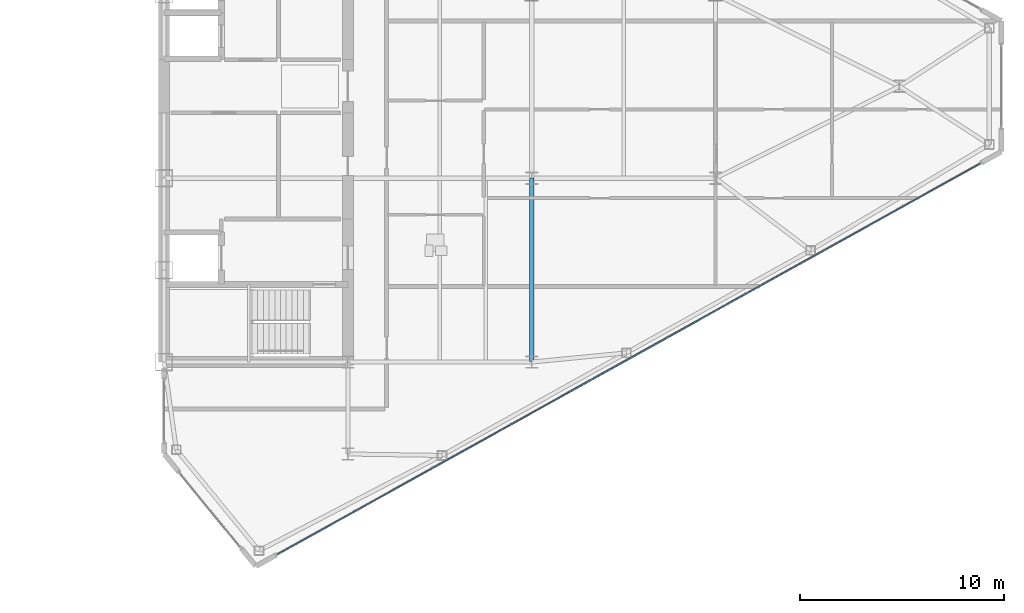
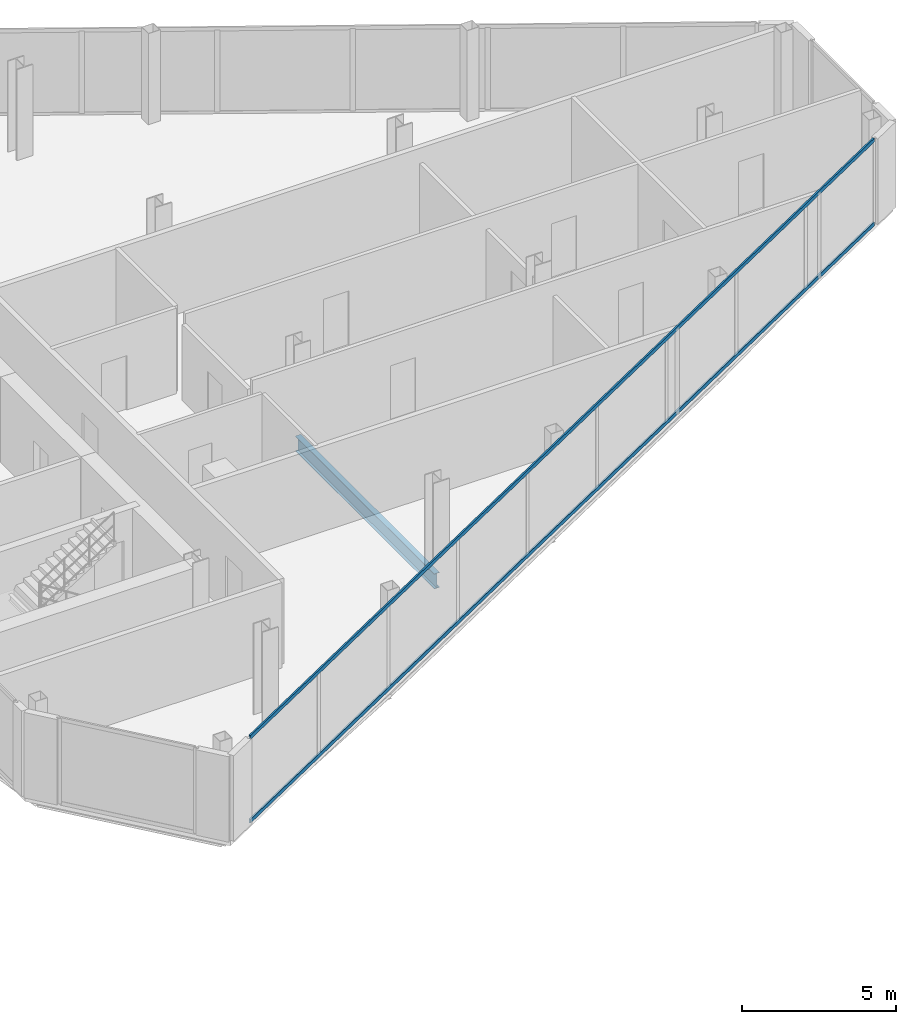
# One storey, part 12 of 25: 2 members, 1 beam, 1 element without a shape of its own.
"""IFC4 building model written with IfcOpenShell, lengths in metres."""

from ifc_helpers import new_model, si_unit, direction, frame, origin, origin_2d, place, context, subcontext, project, spatial, rectangle, i_section, extrude, source, transform, mapped, material, layer, layer_set, material_profile, profile_set, type_object, type_shapes, element, aggregate, save


model = new_model("IFC4")

# Units and contexts
model_context = context("Model", 3, precision=1e-05, world=origin(), true_north=direction((0.0, 1.0)))
body_context = subcontext(model_context, "Body", "Model", "MODEL_VIEW")
ifc_project = project(units=[si_unit("LENGTHUNIT", "METRE"), si_unit("AREAUNIT", "SQUARE_METRE"), si_unit("VOLUMEUNIT", "CUBIC_METRE"), si_unit("PLANEANGLEUNIT", "RADIAN"), si_unit("MASSUNIT", "GRAM", prefix="KILO")], contexts=[model_context])

# Site, building, storey
site_placement = place(None, origin())
site = spatial("IfcSite", under=ifc_project, at=site_placement, CompositionType="ELEMENT")
building_placement = place(site_placement, origin())
building = spatial("IfcBuilding", under=site, at=building_placement, Name="Seokmaru Belvedere", CompositionType="ELEMENT")
storey_placement = place(building_placement, frame((0.0, 0.0, 185.10009765625)))
storey = spatial("IfcBuildingStorey", under=building, at=storey_placement, Name="L49", CompositionType="ELEMENT", Elevation=185.10009765625)

# Beam
ifc_material_1 = material(Name="Steel SM355 (355 MPa)", Category="steel")
ifc_material_profile_1 = material_profile(ifc_material_1, i_section(OverallWidth=0.199951171875, OverallDepth=0.60009765625, WebThickness=0.010986328125, FlangeThickness=0.01708984375, at=origin_2d()), Name="H-600x200x11x17")
ifc_profile_set_1 = profile_set([ifc_material_profile_1], Name="Steel SM355 (355 MPa)")
beam_type = type_object("IfcBeamType", Name="Primary Floor Girder H-600", PredefinedType="BEAM", material=ifc_profile_set_1)
shared_shape_1 = source(origin(), body_context, "Body", "SweptSolid", [
    extrude(i_section(OverallWidth=0.199951171875, OverallDepth=0.60009765625, WebThickness=0.010986328125, FlangeThickness=0.01708984375, at=origin_2d()), origin(), (0.0, 0.0, 1.0), 9.0),
])
type_shapes(beam_type, [shared_shape_1])
beam_placement = place(storey_placement, frame((45.5, -13.5, -0.52001953125), z_axis=(0.0, 1.0, 0.0), x_axis=(-1.0, 0.0, 0.0)))
element("IfcBeam", 1, at=beam_placement, inside=storey, type_object=beam_type, Name="L49 E Interior Grid Girder 1", PredefinedType="BEAM", context=body_context, shape_type="MappedRepresentation", body=[
    mapped(shared_shape_1, transform((0.0, 0.0, 0.0), scale=1.0)),
])

# Curtain wall, members
ifc_material_2 = material(Name="Bronze Triple Insulating Glass", Category="glass")
ifc_layer = layer(ifc_material_2, 0.179931640625)
ifc_layer_set = layer_set([ifc_layer], Name="Bronze Triple Insulating Glass")
curtain_wall_type = type_object("IfcCurtainWallType", Name="High-Rise Wind-Corner Curtain Wall System CW-5", PredefinedType="NOTDEFINED", material=ifc_layer_set)
curtain_wall_placement = place(storey_placement, origin())
curtain_wall = element("IfcCurtainWall", 2, at=curtain_wall_placement, inside=storey, type_object=curtain_wall_type, Name="L49 Curtain Wall EF1", PredefinedType="NOTDEFINED")
ifc_material_3 = material(Name="Anodised Bronze Aluminium", Category="aluminium")
ifc_material_profile_2 = material_profile(ifc_material_3, rectangle(XDim=0.06494140625, YDim=0.14990234375, at=origin_2d()), Name="CW-T-65x150")
ifc_profile_set_2 = profile_set([ifc_material_profile_2], Name="Anodised Bronze Aluminium")
member_type = type_object("IfcMemberType", Name="Bronze Unitised Transom 65x150", PredefinedType="USERDEFINED", material=ifc_profile_set_2)
shared_shape_2 = source(origin(), body_context, "Body", "SweptSolid", [
    extrude(rectangle(XDim=0.06494140625, YDim=0.14990234375, at=origin_2d()), origin(), (0.0, 0.0, 1.0), 39.33544921875),
])
type_shapes(member_type, [shared_shape_2])
member_1_placement = place(storey_placement, frame((33.061767578125, -22.909423828125, 0.032470703125), z_axis=(0.873932045133, 0.486048125693, 0.0), x_axis=(-0.486048125693, 0.873932045133, 0.0)))
member_1 = element("IfcMember", 3, at=member_1_placement, type_object=member_type, Name="CW:L49:EF1 Continuous Transom 1", ObjectType="TRANSOM", PredefinedType="USERDEFINED", context=body_context, shape_type="MappedRepresentation", body=[
    mapped(shared_shape_2, transform((0.0, 0.0, 0.0), scale=1.0)),
])
member_2_placement = place(storey_placement, frame((33.061767578125, -22.909423828125, 3.347412109375), z_axis=(0.873932045133, 0.486048125693, 0.0), x_axis=(-0.486048125693, 0.873932045133, 0.0)))
member_2 = element("IfcMember", 4, at=member_2_placement, type_object=member_type, Name="CW:L49:EF1 Continuous Transom 2", ObjectType="TRANSOM", PredefinedType="USERDEFINED", context=body_context, shape_type="MappedRepresentation", body=[
    mapped(shared_shape_2, transform((0.0, 0.0, 0.0), scale=1.0)),
])
aggregate(curtain_wall, [member_1, member_2])

save(model, "model.ifc")
